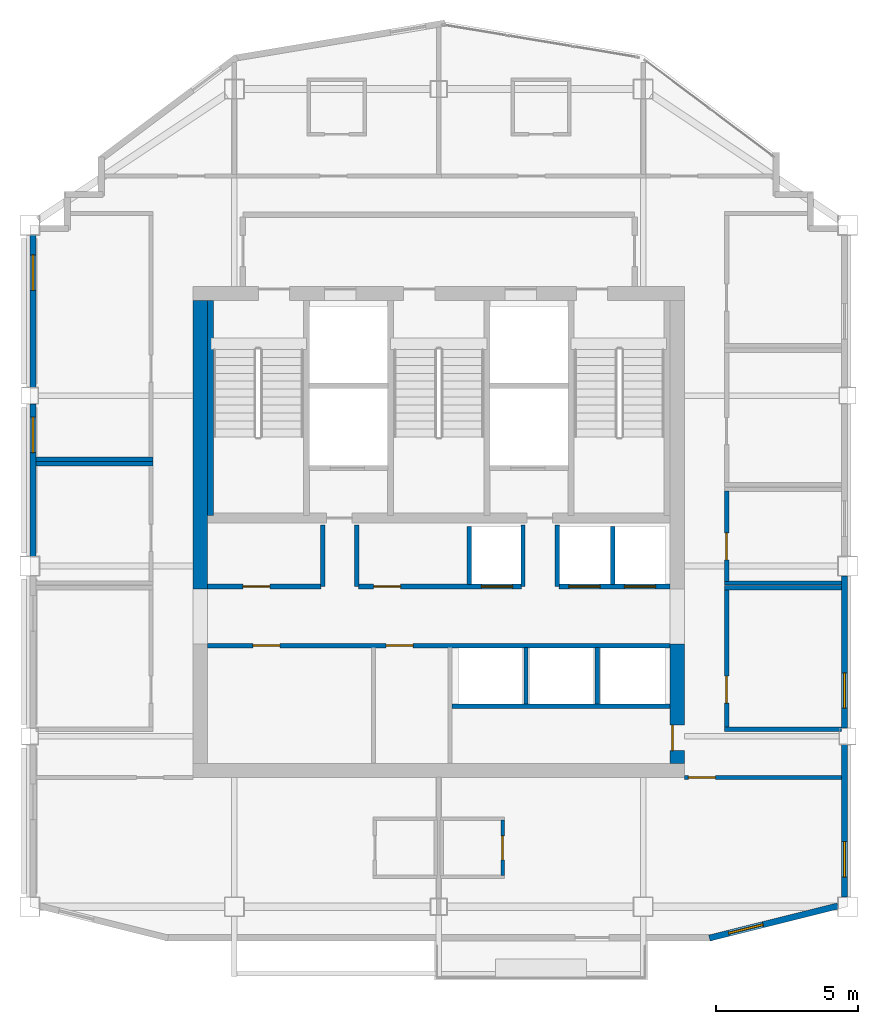
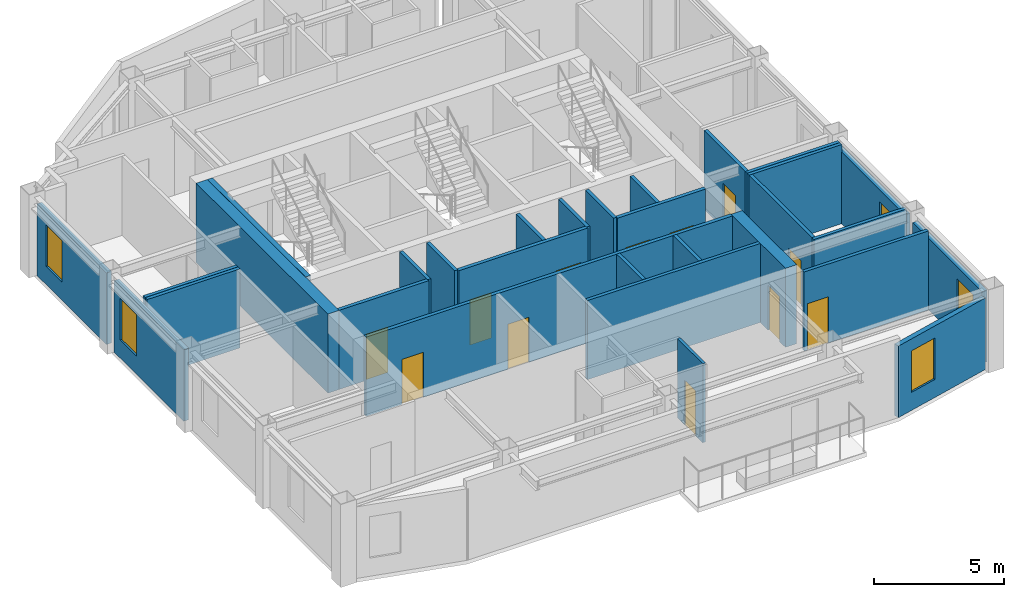
# One storey, part 5 of 8: 30 walls, 12 doors, 5 windows, 17 openings.
"""IFC4 building model written with IfcOpenShell, lengths in metres."""

import ifcopenshell
import ifcopenshell.guid

model = None  # the IFC model being written
_history = None  # IfcOwnerHistory: only IFC2X3 demands one
_inside = {}  # id of a spatial element -> (the spatial element, [elements in it])
_under = {}  # id of a project, library or spatial element -> (it, [spatial elements below it])
_declared = {}  # id of a project -> (the project, [libraries it declares])
_typed = {}  # id of a type object -> (the type object, [elements of that type])
_made_of = {}  # id of a material, layer set ... -> (it, [elements and type objects made of it])


def new_model(schema):
    """Start an empty IFC model of exactly this schema.

    Asked for "IFC4X3", IfcOpenShell would pick the latest addendum, in which some entities
    have other attributes; the version numbers below select the first issue.
    IFC2X3 requires an IfcOwnerHistory on every rooted entity: one is made here for all.
    """
    global model, _history
    if schema == "IFC4X3":
        model = ifcopenshell.file(schema_version=(4, 3, 0, 0))
    else:
        model = ifcopenshell.file(schema=schema)
    _inside.clear()
    _under.clear()
    _declared.clear()
    _typed.clear()
    _made_of.clear()
    _history = None
    if model.schema == "IFC2X3":
        org = make("IfcOrganization", Name="unknown")
        user = make(
            "IfcPersonAndOrganization",
            ThePerson=make("IfcPerson", FamilyName="unknown"),
            TheOrganization=org,
        )
        app = make(
            "IfcApplication",
            ApplicationDeveloper=org,
            Version="unknown",
            ApplicationFullName="unknown",
            ApplicationIdentifier="unknown",
        )
        _history = make(
            "IfcOwnerHistory",
            OwningUser=user,
            OwningApplication=app,
            ChangeAction="ADDED",
            CreationDate=0,
        )
    return model


def make(cls, **values):
    """One entity of the class cls with the attributes given. An attribute that is None is left unset."""
    return model.create_entity(
        cls, **{name: value for name, value in values.items() if value is not None}
    )


def rooted(cls, **values):
    """An entity with a GlobalId (a new one), such as an element, a storey or a relation."""
    return make(cls, GlobalId=ifcopenshell.guid.new(), OwnerHistory=_history, **values)


def si_unit(unit_type, name, prefix=None):
    """IfcSIUnit, for example si_unit("LENGTHUNIT", "METRE", prefix="MILLI")."""
    return make("IfcSIUnit", UnitType=unit_type, Prefix=prefix, Name=name)


def assignment(units):
    """IfcUnitAssignment: the units of a project."""
    return None if units is None else make("IfcUnitAssignment", Units=units)


def point(xyz):
    """IfcCartesianPoint."""
    return None if xyz is None else make("IfcCartesianPoint", Coordinates=xyz)


def direction(xyz):
    """IfcDirection."""
    return None if xyz is None else make("IfcDirection", DirectionRatios=xyz)


def frame(location, z_axis=None, x_axis=None):
    """IfcAxis2Placement3D, a coordinate frame: its origin and axes. An axis left out is left unset."""
    return make(
        "IfcAxis2Placement3D",
        Location=point(location),
        Axis=direction(z_axis),
        RefDirection=direction(x_axis),
    )


def frame_2d(location, x_axis=None):
    """IfcAxis2Placement2D, a coordinate frame in the plane: its origin and x axis."""
    return make(
        "IfcAxis2Placement2D", Location=point(location), RefDirection=direction(x_axis)
    )


def origin():
    """The frame at (0, 0, 0) with its axes left unset."""
    return frame((0.0, 0.0, 0.0))


def place(relative_to, where):
    """IfcLocalPlacement: puts the frame where relative to a parent placement (None: the world)."""
    return make(
        "IfcLocalPlacement", PlacementRelTo=relative_to, RelativePlacement=where
    )


def context(
    kind, dimensions, precision=None, world=None, true_north=None, identifier=None
):
    """IfcGeometricRepresentationContext, for example the 3D "Model" context."""
    return make(
        "IfcGeometricRepresentationContext",
        ContextIdentifier=identifier,
        ContextType=kind,
        CoordinateSpaceDimension=dimensions,
        Precision=precision,
        WorldCoordinateSystem=world,
        TrueNorth=true_north,
    )


def subcontext(parent, identifier, kind, view, scale=None):
    """IfcGeometricRepresentationSubContext, for example "Body" below "Model"."""
    return make(
        "IfcGeometricRepresentationSubContext",
        ContextIdentifier=identifier,
        ContextType=kind,
        ParentContext=parent,
        TargetScale=scale,
        TargetView=view,
    )


def project(units=None, contexts=None):
    """IfcProject with its units and contexts."""
    return rooted(
        "IfcProject",
        Name="project",
        RepresentationContexts=contexts,
        UnitsInContext=assignment(units),
    )


def spatial(cls, under=None, at=None, **own):
    """A site, building, storey or space (cls), placed at a placement, below another one or the project."""
    s = rooted(cls, ObjectPlacement=at, **own)
    if under is not None:
        _under.setdefault(under.id(), (under, []))[1].append(s)
    return s


def profile(cls, at=None, kind="AREA", **sizes):
    """A parametric profile (cls). Its sizes go by their IFC names, for example OverallWidth=200.0."""
    return make(cls, ProfileType=kind, Position=at, **sizes)


def rectangle(**sizes):
    """IfcRectangleProfileDef."""
    return profile("IfcRectangleProfileDef", **sizes)


def extrude(swept, where, along, depth):
    """IfcExtrudedAreaSolid: the profile swept, set in the frame where, extruded along a direction by depth."""
    return make(
        "IfcExtrudedAreaSolid",
        SweptArea=swept,
        Position=where,
        ExtrudedDirection=direction(along),
        Depth=depth,
    )


def shape(context_of_items, identifier, shape_type, items):
    """IfcShapeRepresentation: the items that make up one representation, for example the "Body"."""
    return make(
        "IfcShapeRepresentation",
        ContextOfItems=context_of_items,
        RepresentationIdentifier=identifier,
        RepresentationType=shape_type,
        Items=items,
    )


def material(Name=None, Category=None):
    """IfcMaterial."""
    return make("IfcMaterial", Name=Name, Category=Category)


def layer(
    of_material, thickness, ventilated=None, Name=None, Category=None, Priority=None
):
    """IfcMaterialLayer: one layer of a wall or slab, of a material (None: an air gap)."""
    return make(
        "IfcMaterialLayer",
        Material=of_material,
        LayerThickness=thickness,
        IsVentilated=ventilated,
        Name=Name,
        Category=Category,
        Priority=Priority,
    )


def layer_set(layers, Name=None):
    """IfcMaterialLayerSet."""
    return make("IfcMaterialLayerSet", MaterialLayers=layers, LayerSetName=Name)


def made_of(thing, what):
    """Note that an element or type object is made of a material, layer set ...; save() writes the relation."""
    if what is not None:
        _made_of.setdefault(what.id(), (what, []))[1].append(thing)
    return thing


def type_object(cls, material=None, **own):
    """A type object (cls), such as IfcWallType, which elements share."""
    return made_of(rooted(cls, **own), material)


def element(
    cls,
    number,
    at=None,
    inside=None,
    cuts=None,
    type_object=None,
    material=None,
    context=None,
    identifier="Body",
    shape_type=None,
    held_by="IfcProductDefinitionShape",
    body=None,
    shapes=None,
    **own,
):
    """One element of the class cls, such as IfcWall. Its Tag is "e" and its number.

    at: its placement. inside: the storey or other place that contains it. cuts: it is an
    opening in that element (IfcRelVoidsElement). A single representation is given by context,
    identifier, shape_type and body (its items); several are given by shapes. held_by: the class
    of the entity that holds the representations. save() writes the other relations.
    """
    e = rooted(cls, Tag="e%d" % number, ObjectPlacement=at, **own)
    if body is not None:
        shapes = [shape(context, identifier, shape_type, body)]
    if shapes is not None:
        e.Representation = make(held_by, Representations=shapes)
    if inside is not None:
        _inside.setdefault(inside.id(), (inside, []))[1].append(e)
    if cuts is not None:
        rooted(
            "IfcRelVoidsElement", RelatingBuildingElement=cuts, RelatedOpeningElement=e
        )
    if type_object is not None:
        _typed.setdefault(type_object.id(), (type_object, []))[1].append(e)
    return made_of(e, material)


def fill(opening, filler):
    """IfcRelFillsElement: the door or window that sits in an opening."""
    return rooted(
        "IfcRelFillsElement",
        RelatingOpeningElement=opening,
        RelatedBuildingElement=filler,
    )


def aggregate(whole, parts):
    """IfcRelAggregates: a whole, such as a stair, and the parts it consists of."""
    return rooted("IfcRelAggregates", RelatingObject=whole, RelatedObjects=parts)


def save(model, path):
    """Write the relations noted so far, then the file.

    IfcRelAggregates (storeys below a building ...), IfcRelContainedInSpatialStructure (elements
    in a storey), IfcRelDefinesByType, IfcRelAssociatesMaterial and IfcRelDeclares: one each for
    every whole, place, type object, material and project.
    """
    for whole, parts in _under.values():
        aggregate(whole, parts)
    for where, things in _inside.values():
        rooted(
            "IfcRelContainedInSpatialStructure",
            RelatedElements=things,
            RelatingStructure=where,
        )
    for kind, things in _typed.values():
        rooted("IfcRelDefinesByType", RelatedObjects=things, RelatingType=kind)
    for what, things in _made_of.values():
        rooted("IfcRelAssociatesMaterial", RelatedObjects=things, RelatingMaterial=what)
    for by, libraries in _declared.values():
        rooted("IfcRelDeclares", RelatingContext=by, RelatedDefinitions=libraries)
    model.write(path)


model = new_model("IFC4")

# Units and contexts
model_context = context("Model", 3, precision=1e-05, world=origin(), true_north=direction((0.0, 1.0)))
body_context = subcontext(model_context, "Body", "Model", "MODEL_VIEW")
ifc_project = project(units=[si_unit("LENGTHUNIT", "METRE"), si_unit("AREAUNIT", "SQUARE_METRE"), si_unit("VOLUMEUNIT", "CUBIC_METRE"), si_unit("PLANEANGLEUNIT", "RADIAN"), si_unit("MASSUNIT", "GRAM", prefix="KILO")], contexts=[model_context])

# Site, building, storey
site_placement = place(None, origin())
site = spatial("IfcSite", under=ifc_project, at=site_placement, CompositionType="ELEMENT")
building_placement = place(site_placement, origin())
building = spatial("IfcBuilding", under=site, at=building_placement, Name="Haolan Belvedere Tower", CompositionType="ELEMENT")
storey_placement = place(building_placement, frame((0.0, 0.0, 293.89990234375)))
storey = spatial("IfcBuildingStorey", under=building, at=storey_placement, Name="L74", CompositionType="ELEMENT", Elevation=293.89990234375)

# Wall
ifc_material_1 = material(Name="Concrete C50/60", Category="concrete")
ifc_layer_1 = layer(ifc_material_1, 0.5, Name="Concrete C50/60")
ifc_layer_set_1 = layer_set([ifc_layer_1], Name="Concrete C50/60")
wall_type_1 = type_object("IfcWallType", Name="WL-CORE-500", PredefinedType="SHEAR", material=ifc_layer_set_1)
wall_1_placement = place(storey_placement, frame((30.0, 32.800048828125, 0.0), z_axis=(0.0, 0.0, 1.0), x_axis=(0.0, 1.0, 0.0)))
element("IfcWall", 1, at=wall_1_placement, inside=storey, type_object=wall_type_1, Name="L74 central core shear wall WN", PredefinedType="SHEAR", context=body_context, shape_type="SweptSolid", body=[
    extrude(rectangle(XDim=10.14990234375, YDim=0.5, at=frame_2d((5.074951171875, 0.0))), origin(), (0.0, 0.0, 1.0), 3.72021484375),
])

# Wall, opening, door
wall_2_placement = place(storey_placement, frame((46.800048828125, 26.64990234375, 0.0), z_axis=(0.0, 0.0, 1.0), x_axis=(0.0, 1.0, 0.0)))
wall_2 = element("IfcWall", 2, at=wall_2_placement, inside=storey, type_object=wall_type_1, Name="L74 central core shear wall ES", PredefinedType="SHEAR", context=body_context, shape_type="SweptSolid", body=[
    extrude(rectangle(XDim=4.2001953125, YDim=0.5, at=frame_2d((2.10009765625, 0.0))), origin(), (0.0, 0.0, 1.0), 3.72021484375),
])
opening_1_placement = place(wall_2_placement, frame((1.349853515625, 0.0, 0.0), z_axis=(0.0, 0.0, 1.0), x_axis=(-1.0, 0.0, 0.0)))
opening_1 = element("IfcOpeningElement", 3, at=opening_1_placement, cuts=wall_2, Name="Opening FD-05", PredefinedType="OPENING", context=body_context, shape_type="SweptSolid", body=[
    extrude(rectangle(XDim=0.89990234375, YDim=2.10009765625, at=frame_2d((0.449951171875, 1.050048828125))), frame((0.0, 0.260009765625, 0.0), z_axis=(0.0, -1.0, 0.0), x_axis=(1.0, 0.0, 0.0)), (0.0, 0.0, 1.0), 0.52001953125),
])
ifc_material_2 = material(Name="Galvanised fire-rated steel", Category="steel")
door_type_1 = type_object("IfcDoorType", Name="DR-FD60-900", OperationType="NOTDEFINED", PredefinedType="DOOR", material=ifc_material_2)
door_1_placement = place(opening_1_placement, origin())
door_1 = element("IfcDoor", 4, at=door_1_placement, inside=storey, type_object=door_type_1, Name="L74 door CD-L74-SCVE", OperationType="SINGLE_SWING_RIGHT", OverallHeight=2.10009765625, OverallWidth=0.89990234375, PredefinedType="DOOR", context=body_context, shape_type="SweptSolid", body=[
    extrude(rectangle(XDim=0.89990234375, YDim=2.10009765625, at=frame_2d((0.449951171875, 1.050048828125))), frame((0.0, -0.134765625, 0.0), z_axis=(0.0, -1.0, 0.0), x_axis=(1.0, 0.0, 0.0)), (0.0, 0.0, 1.0), 0.050048828125),
])
fill(opening_1, door_1)

# Wall, opening, window
ifc_material_3 = material(Name="Precast concrete C40/50", Category="concrete")
ifc_layer_2 = layer(ifc_material_3, 0.219970703125, Name="Precast concrete C40/50")
ifc_layer_set_2 = layer_set([ifc_layer_2], Name="Precast concrete C40/50")
wall_type_2 = type_object("IfcWallType", Name="WL-EXT-220", PredefinedType="SOLIDWALL", material=ifc_layer_set_2)
wall_3_placement = place(storey_placement, frame((47.93310546875, 20.49658203125, 0.0), z_axis=(0.0, 0.0, 1.0), x_axis=(0.970136341762, 0.242560257242, 0.0)))
wall_3 = element("IfcWall", 5, at=wall_3_placement, inside=storey, type_object=wall_type_2, Name="L74 pale-metal exterior spandrel wall 2.1", PredefinedType="SOLIDWALL", context=body_context, shape_type="SweptSolid", body=[
    extrude(rectangle(XDim=4.664306640625, YDim=0.219970703125, at=frame_2d((2.33203125, 0.0))), origin(), (0.0, 0.0, 1.0), 3.364990234375),
])
opening_2_placement = place(wall_3_placement, frame((0.699951171875, 0.0, 0.85009765625)))
opening_2 = element("IfcOpeningElement", 6, at=opening_2_placement, cuts=wall_3, Name="Opening W-04", PredefinedType="OPENING", context=body_context, shape_type="SweptSolid", body=[
    extrude(rectangle(XDim=1.25, YDim=1.949951171875, at=frame_2d((0.625, 0.97509765625))), frame((0.0, 0.119873046875, 0.0), z_axis=(0.0, -1.0, 0.0), x_axis=(1.0, 0.0, 0.0)), (0.0, 0.0, 1.0), 0.239990234375),
])
ifc_material_4 = material(Name="Anodised aluminium 6063-T6 and Low-E glass", Category="aluminium")
window_type = type_object("IfcWindowType", Name="WN-DECO-Z4", PartitioningType="SINGLE_PANEL", PredefinedType="WINDOW", material=ifc_material_4)
window_1_placement = place(opening_2_placement, origin())
window_1 = element("IfcWindow", 7, at=window_1_placement, inside=storey, type_object=window_type, Name="L74 Art Deco chevron window 1", OverallHeight=1.949951171875, OverallWidth=1.25, PartitioningType="SINGLE_PANEL", PredefinedType="WINDOW", context=body_context, shape_type="SweptSolid", body=[
    extrude(rectangle(XDim=1.25, YDim=1.949951171875, at=frame_2d((0.625, 0.97509765625))), frame((0.0, 0.030029296875, 0.0), z_axis=(0.0, -1.0, 0.0), x_axis=(1.0, 0.0, 0.0)), (0.0, 0.0, 1.0), 0.06005859375),
])
fill(opening_2, window_1)

wall_4_placement = place(storey_placement, frame((52.68994140625, 21.94189453125, 0.0), z_axis=(0.0, 0.0, 1.0), x_axis=(0.0, 1.0, 0.0)))
wall_4 = element("IfcWall", 8, at=wall_4_placement, inside=storey, type_object=wall_type_2, Name="L74 pale-metal exterior spandrel wall 3.1", PredefinedType="SOLIDWALL", context=body_context, shape_type="SweptSolid", body=[
    extrude(rectangle(XDim=5.3662109375, YDim=0.219970703125, at=frame_2d((2.68310546875, 0.0))), origin(), (0.0, 0.0, 1.0), 3.364990234375),
])
opening_3_placement = place(wall_4_placement, frame((0.699951171875, 0.0, 0.85009765625)))
opening_3 = element("IfcOpeningElement", 9, at=opening_3_placement, cuts=wall_4, Name="Opening W-04", PredefinedType="OPENING", context=body_context, shape_type="SweptSolid", body=[
    extrude(rectangle(XDim=1.25, YDim=1.949951171875, at=frame_2d((0.625, 0.97509765625))), frame((0.0, 0.119873046875, 0.0), z_axis=(0.0, -1.0, 0.0), x_axis=(1.0, 0.0, 0.0)), (0.0, 0.0, 1.0), 0.239990234375),
])
window_2_placement = place(opening_3_placement, origin())
window_2 = element("IfcWindow", 10, at=window_2_placement, inside=storey, type_object=window_type, Name="L74 Art Deco chevron window 1", OverallHeight=1.949951171875, OverallWidth=1.25, PartitioningType="SINGLE_PANEL", PredefinedType="WINDOW", context=body_context, shape_type="SweptSolid", body=[
    extrude(rectangle(XDim=1.25, YDim=1.949951171875, at=frame_2d((0.625, 0.97509765625))), frame((0.0, 0.030029296875, 0.0), z_axis=(0.0, -1.0, 0.0), x_axis=(1.0, 0.0, 0.0)), (0.0, 0.0, 1.0), 0.06005859375),
])
fill(opening_3, window_2)

wall_5_placement = place(storey_placement, frame((52.68994140625, 27.89208984375, 0.0), z_axis=(0.0, 0.0, 1.0), x_axis=(0.0, 1.0, 0.0)))
wall_5 = element("IfcWall", 11, at=wall_5_placement, inside=storey, type_object=wall_type_2, Name="L74 pale-metal exterior spandrel wall 3.2", PredefinedType="SOLIDWALL", context=body_context, shape_type="SweptSolid", body=[
    extrude(rectangle(XDim=5.365966796875, YDim=0.219970703125, at=frame_2d((2.68310546875, 0.0))), origin(), (0.0, 0.0, 1.0), 3.364990234375),
])
opening_4_placement = place(wall_5_placement, frame((0.699951171875, 0.0, 0.85009765625)))
opening_4 = element("IfcOpeningElement", 12, at=opening_4_placement, cuts=wall_5, Name="Opening W-04", PredefinedType="OPENING", context=body_context, shape_type="SweptSolid", body=[
    extrude(rectangle(XDim=1.25, YDim=1.949951171875, at=frame_2d((0.625, 0.97509765625))), frame((0.0, 0.119873046875, 0.0), z_axis=(0.0, -1.0, 0.0), x_axis=(1.0, 0.0, 0.0)), (0.0, 0.0, 1.0), 0.239990234375),
])
window_3_placement = place(opening_4_placement, origin())
window_3 = element("IfcWindow", 13, at=window_3_placement, inside=storey, type_object=window_type, Name="L74 Art Deco chevron window 1", OverallHeight=1.949951171875, OverallWidth=1.25, PartitioningType="SINGLE_PANEL", PredefinedType="WINDOW", context=body_context, shape_type="SweptSolid", body=[
    extrude(rectangle(XDim=1.25, YDim=1.949951171875, at=frame_2d((0.625, 0.97509765625))), frame((0.0, 0.030029296875, 0.0), z_axis=(0.0, -1.0, 0.0), x_axis=(1.0, 0.0, 0.0)), (0.0, 0.0, 1.0), 0.06005859375),
])
fill(opening_4, window_3)

wall_6_placement = place(storey_placement, frame((24.110107421875, 45.258056640625, 0.0), z_axis=(0.0, 0.0, 1.0), x_axis=(0.0, -1.0, 0.0)))
wall_6 = element("IfcWall", 14, at=wall_6_placement, inside=storey, type_object=wall_type_2, Name="L74 pale-metal exterior spandrel wall 16.1", PredefinedType="SOLIDWALL", context=body_context, shape_type="SweptSolid", body=[
    extrude(rectangle(XDim=5.365966796875, YDim=0.219970703125, at=frame_2d((2.68310546875, 0.0))), origin(), (0.0, 0.0, 1.0), 3.364990234375),
])
opening_5_placement = place(wall_6_placement, frame((0.699951171875, 0.0, 0.85009765625)))
opening_5 = element("IfcOpeningElement", 15, at=opening_5_placement, cuts=wall_6, Name="Opening W-04", PredefinedType="OPENING", context=body_context, shape_type="SweptSolid", body=[
    extrude(rectangle(XDim=1.25, YDim=1.949951171875, at=frame_2d((0.625, 0.97509765625))), frame((0.0, 0.119873046875, 0.0), z_axis=(0.0, -1.0, 0.0), x_axis=(1.0, 0.0, 0.0)), (0.0, 0.0, 1.0), 0.239990234375),
])
window_4_placement = place(opening_5_placement, origin())
window_4 = element("IfcWindow", 16, at=window_4_placement, inside=storey, type_object=window_type, Name="L74 Art Deco chevron window 1", OverallHeight=1.949951171875, OverallWidth=1.25, PartitioningType="SINGLE_PANEL", PredefinedType="WINDOW", context=body_context, shape_type="SweptSolid", body=[
    extrude(rectangle(XDim=1.25, YDim=1.949951171875, at=frame_2d((0.625, 0.97509765625))), frame((0.0, 0.030029296875, 0.0), z_axis=(0.0, -1.0, 0.0), x_axis=(1.0, 0.0, 0.0)), (0.0, 0.0, 1.0), 0.06005859375),
])
fill(opening_5, window_4)

wall_7_placement = place(storey_placement, frame((24.110107421875, 39.30810546875, 0.0), z_axis=(0.0, 0.0, 1.0), x_axis=(0.0, -1.0, 0.0)))
wall_7 = element("IfcWall", 17, at=wall_7_placement, inside=storey, type_object=wall_type_2, Name="L74 pale-metal exterior spandrel wall 16.2", PredefinedType="SOLIDWALL", context=body_context, shape_type="SweptSolid", body=[
    extrude(rectangle(XDim=5.3662109375, YDim=0.219970703125, at=frame_2d((2.68310546875, 0.0))), origin(), (0.0, 0.0, 1.0), 3.364990234375),
])
opening_6_placement = place(wall_7_placement, frame((0.462890625, 0.0, 0.85009765625)))
opening_6 = element("IfcOpeningElement", 18, at=opening_6_placement, cuts=wall_7, Name="Opening W-04", PredefinedType="OPENING", context=body_context, shape_type="SweptSolid", body=[
    extrude(rectangle(XDim=1.25, YDim=1.949951171875, at=frame_2d((0.625, 0.97509765625))), frame((0.0, 0.119873046875, 0.0), z_axis=(0.0, -1.0, 0.0), x_axis=(1.0, 0.0, 0.0)), (0.0, 0.0, 1.0), 0.239990234375),
])
window_5_placement = place(opening_6_placement, origin())
window_5 = element("IfcWindow", 19, at=window_5_placement, inside=storey, type_object=window_type, Name="L74 Art Deco chevron window 1", OverallHeight=1.949951171875, OverallWidth=1.25, PartitioningType="SINGLE_PANEL", PredefinedType="WINDOW", context=body_context, shape_type="SweptSolid", body=[
    extrude(rectangle(XDim=1.25, YDim=1.949951171875, at=frame_2d((0.625, 0.97509765625))), frame((0.0, 0.030029296875, 0.0), z_axis=(0.0, -1.0, 0.0), x_axis=(1.0, 0.0, 0.0)), (0.0, 0.0, 1.0), 0.06005859375),
])
fill(opening_6, window_5)

# Walls
ifc_material_5 = material(Name="Double gypsum acoustic stud partition", Category="masonry")
ifc_layer_3 = layer(ifc_material_5, 0.14990234375, Name="Double gypsum acoustic stud partition")
ifc_layer_set_3 = layer_set([ifc_layer_3], Name="Double gypsum acoustic stud partition")
wall_type_3 = type_object("IfcWallType", Name="WL-PART-150", PredefinedType="PARTITIONING", material=ifc_layer_set_3)
wall_8_placement = place(storey_placement, frame((38.860107421875, 28.659912109375, 0.0), z_axis=(0.0, 0.0, 1.0), x_axis=(1.0, 0.0, 0.0)))
element("IfcWall", 20, at=wall_8_placement, inside=storey, type_object=wall_type_3, Name="L74 interior partition IW-L74-SSTRIP-E", PredefinedType="PARTITIONING", context=body_context, shape_type="SweptSolid", body=[
    extrude(rectangle(XDim=7.68994140625, YDim=0.14990234375, at=frame_2d((3.844970703125, 0.0))), origin(), (0.0, 0.0, 1.0), 3.72021484375),
])
for number, where, z_axis, x_axis, name in (
    (21, (24.2119140625, 37.199951171875, 0.0), (0.0, 0.0, 1.0), (1.0, 0.0, 0.0), "L74 interior partition IW-L74-HSK-N"),
    (22, (24.2119140625, 37.360107421875, 0.0), (0.0, 0.0, 1.0), (1.0, 0.0, 0.0), "L74 interior partition IW-L74-MTG-S"),
):
    element("IfcWall", number, at=place(storey_placement, frame(where, z_axis=z_axis, x_axis=x_axis)), inside=storey, type_object=wall_type_3, Name=name, PredefinedType="PARTITIONING", context=body_context, shape_type="SweptSolid", body=[
        extrude(rectangle(XDim=4.128173828125, YDim=0.14990234375, at=frame_2d((2.06396484375, 0.0))), origin(), (0.0, 0.0, 1.0), 3.72021484375),
    ])
wall_9_placement = place(storey_placement, frame((48.4599609375, 33.0, 0.0), z_axis=(0.0, 0.0, 1.0), x_axis=(1.0, 0.0, 0.0)))
element("IfcWall", 23, at=wall_9_placement, inside=storey, type_object=wall_type_3, Name="L74 interior partition IW-L74-AWC-S", PredefinedType="PARTITIONING", context=body_context, shape_type="SweptSolid", body=[
    extrude(rectangle(XDim=4.1279296875, YDim=0.14990234375, at=frame_2d((2.06396484375, 0.0))), origin(), (0.0, 0.0, 1.0), 3.72021484375),
])

# Wall, opening, door
wall_10_placement = place(storey_placement, frame((48.5400390625, 33.06005859375, 0.0), z_axis=(0.0, 0.0, 1.0), x_axis=(0.0, 1.0, 0.0)))
wall_10 = element("IfcWall", 24, at=wall_10_placement, inside=storey, type_object=wall_type_3, Name="L74 interior partition IW-L74-AWC-W", PredefinedType="PARTITIONING", context=body_context, shape_type="SweptSolid", body=[
    extrude(rectangle(XDim=3.179931640625, YDim=0.14990234375, at=frame_2d((1.58984375, 0.0))), origin(), (0.0, 0.0, 1.0), 3.72021484375),
])
opening_7_placement = place(wall_10_placement, frame((0.760009765625, 0.0, 0.0)))
opening_7 = element("IfcOpeningElement", 25, at=opening_7_placement, cuts=wall_10, Name="Opening ID-03", PredefinedType="OPENING", context=body_context, shape_type="SweptSolid", body=[
    extrude(rectangle(XDim=0.949951171875, YDim=2.1201171875, at=frame_2d((0.47509765625, 1.06005859375))), frame((0.0, 0.0849609375, 0.0), z_axis=(0.0, -1.0, 0.0), x_axis=(1.0, 0.0, 0.0)), (0.0, 0.0, 1.0), 0.169921875),
])
ifc_material_6 = material(Name="Painted solid-core timber", Category="wood")
door_type_2 = type_object("IfcDoorType", Name="DR-INT-950", OperationType="NOTDEFINED", PredefinedType="DOOR", material=ifc_material_6)
door_2_placement = place(opening_7_placement, origin())
door_2 = element("IfcDoor", 26, at=door_2_placement, inside=storey, type_object=door_type_2, Name="L74 door ID-L74-AWC", OperationType="SINGLE_SWING_LEFT", OverallHeight=2.1201171875, OverallWidth=0.949951171875, PredefinedType="DOOR", context=body_context, shape_type="SweptSolid", body=[
    extrude(rectangle(XDim=0.949951171875, YDim=2.1201171875, at=frame_2d((0.47509765625, 1.06005859375))), frame((0.0, 0.02490234375, 0.0), z_axis=(0.0, -1.0, 0.0), x_axis=(1.0, 0.0, 0.0)), (0.0, 0.0, 1.0), 0.050048828125),
])
fill(opening_7, door_2)

# Walls
for number, where, z_axis, x_axis, name in (
    (27, (48.4599609375, 32.840087890625, 0.0), (0.0, 0.0, 1.0), (1.0, 0.0, 0.0), "L74 interior partition IW-L74-PKTE-N"),
    (28, (48.4599609375, 27.85009765625, 0.0), (0.0, 0.0, 1.0), (1.0, 0.0, 0.0), "L74 interior partition IW-L74-PKTE-S"),
):
    element("IfcWall", number, at=place(storey_placement, frame(where, z_axis=z_axis, x_axis=x_axis)), inside=storey, type_object=wall_type_3, Name=name, PredefinedType="PARTITIONING", context=body_context, shape_type="SweptSolid", body=[
        extrude(rectangle(XDim=4.1279296875, YDim=0.14990234375, at=frame_2d((2.06396484375, 0.0))), origin(), (0.0, 0.0, 1.0), 3.72021484375),
    ])

# Wall, opening, door
wall_11_placement = place(storey_placement, frame((48.5400390625, 27.909912109375, 0.0), z_axis=(0.0, 0.0, 1.0), x_axis=(0.0, 1.0, 0.0)))
wall_11 = element("IfcWall", 29, at=wall_11_placement, inside=storey, type_object=wall_type_3, Name="L74 interior partition IW-L74-PKTE-W", PredefinedType="PARTITIONING", context=body_context, shape_type="SweptSolid", body=[
    extrude(rectangle(XDim=4.8701171875, YDim=0.14990234375, at=frame_2d((2.43505859375, 0.0))), origin(), (0.0, 0.0, 1.0), 3.72021484375),
])
opening_8_placement = place(wall_11_placement, frame((0.860107421875, 0.0, 0.0)))
opening_8 = element("IfcOpeningElement", 30, at=opening_8_placement, cuts=wall_11, Name="Opening ID-03", PredefinedType="OPENING", context=body_context, shape_type="SweptSolid", body=[
    extrude(rectangle(XDim=0.949951171875, YDim=2.1201171875, at=frame_2d((0.47509765625, 1.06005859375))), frame((0.0, 0.0849609375, 0.0), z_axis=(0.0, -1.0, 0.0), x_axis=(1.0, 0.0, 0.0)), (0.0, 0.0, 1.0), 0.169921875),
])
door_3_placement = place(opening_8_placement, origin())
door_3 = element("IfcDoor", 31, at=door_3_placement, inside=storey, type_object=door_type_2, Name="L74 door ID-L74-PKTE", OperationType="SINGLE_SWING_RIGHT", OverallHeight=2.1201171875, OverallWidth=0.949951171875, PredefinedType="DOOR", context=body_context, shape_type="SweptSolid", body=[
    extrude(rectangle(XDim=0.949951171875, YDim=2.1201171875, at=frame_2d((0.47509765625, 1.06005859375))), frame((0.0, 0.02490234375, 0.0), z_axis=(0.0, -1.0, 0.0), x_axis=(1.0, 0.0, 0.0)), (0.0, 0.0, 1.0), 0.050048828125),
])
fill(opening_8, door_3)

wall_12_placement = place(storey_placement, frame((47.052001953125, 26.14990234375, 0.0), z_axis=(0.0, 0.0, 1.0), x_axis=(1.0, 0.0, 0.0)))
wall_12 = element("IfcWall", 32, at=wall_12_placement, inside=storey, type_object=wall_type_3, Name="L74 interior partition IW-L74-KS2-N", PredefinedType="PARTITIONING", context=body_context, shape_type="SweptSolid", body=[
    extrude(rectangle(XDim=5.535888671875, YDim=0.14990234375, at=frame_2d((2.76806640625, 0.0))), origin(), (0.0, 0.0, 1.0), 3.72021484375),
])
opening_9_placement = place(wall_12_placement, frame((1.08984375, 0.0, 0.0), z_axis=(0.0, 0.0, 1.0), x_axis=(-1.0, 0.0, 0.0)))
opening_9 = element("IfcOpeningElement", 33, at=opening_9_placement, cuts=wall_12, Name="Opening ID-01", PredefinedType="OPENING", context=body_context, shape_type="SweptSolid", body=[
    extrude(rectangle(XDim=0.949951171875, YDim=2.179931640625, at=frame_2d((0.47509765625, 1.08984375))), frame((0.0, 0.0849609375, 0.0), z_axis=(0.0, -1.0, 0.0), x_axis=(1.0, 0.0, 0.0)), (0.0, 0.0, 1.0), 0.169921875),
])
ifc_material_7 = material(Name="Acoustic walnut veneer fire-rated timber", Category="wood")
door_type_3 = type_object("IfcDoorType", Name="DR-SUITE-950", OperationType="NOTDEFINED", PredefinedType="DOOR", material=ifc_material_7)
door_4_placement = place(opening_9_placement, origin())
door_4 = element("IfcDoor", 34, at=door_4_placement, inside=storey, type_object=door_type_3, Name="L74 door ID-L74-KS2-ENT", OperationType="SINGLE_SWING_LEFT", OverallHeight=2.179931640625, OverallWidth=0.949951171875, PredefinedType="DOOR", context=body_context, shape_type="SweptSolid", body=[
    extrude(rectangle(XDim=0.949951171875, YDim=2.179931640625, at=frame_2d((0.47509765625, 1.08984375))), frame((0.0, 0.02490234375, 0.0), z_axis=(0.0, -1.0, 0.0), x_axis=(1.0, 0.0, 0.0)), (0.0, 0.0, 1.0), 0.050048828125),
])
fill(opening_9, door_4)

# Walls
ifc_material_8 = material(Name="Gypsum fire shaftwall assembly", Category="masonry")
ifc_layer_4 = layer(ifc_material_8, 0.1650390625, Name="Gypsum fire shaftwall assembly")
ifc_layer_set_4 = layer_set([ifc_layer_4], Name="Gypsum fire shaftwall assembly")
wall_type_4 = type_object("IfcWallType", Name="WL-SHAFT-160", PredefinedType="SOLIDWALL", material=ifc_layer_set_4)
for number, where, z_axis, x_axis, name in (
    (35, (34.31005859375, 32.8798828125, 0.0), (0.0, 0.0, 1.0), (0.0, 1.0, 0.0), "L74 interior partition IW-L74-SVP-W-SV1"),
    (36, (35.510009765625, 32.8798828125, 0.0), (0.0, 0.0, 1.0), (0.0, 1.0, 0.0), "L74 interior partition IW-L74-SVP-E-SV1"),
    (37, (41.3701171875, 32.8798828125, 0.0), (0.0, 0.0, 1.0), (0.0, 1.0, 0.0), "L74 interior partition IW-L74-SVP-W-SV2"),
    (38, (42.570068359375, 32.8798828125, 0.0), (0.0, 0.0, 1.0), (0.0, 1.0, 0.0), "L74 interior partition IW-L74-SVP-E-SV2"),
):
    element("IfcWall", number, at=place(storey_placement, frame(where, z_axis=z_axis, x_axis=x_axis)), inside=storey, type_object=wall_type_4, Name=name, PredefinedType="SOLIDWALL", context=body_context, shape_type="SweptSolid", body=[
        extrude(rectangle(XDim=2.170166015625, YDim=0.14990234375, at=frame_2d((1.0849609375, 0.0))), origin(), (0.0, 0.0, 1.0), 3.72021484375),
    ])

# Wall, opening, door
wall_13_placement = place(storey_placement, frame((30.25, 32.8798828125, 0.0), z_axis=(0.0, 0.0, 1.0), x_axis=(1.0, 0.0, 0.0)))
wall_13 = element("IfcWall", 39, at=wall_13_placement, inside=storey, type_object=wall_type_4, Name="L74 interior partition IW-L74-ROW-PN1", PredefinedType="SOLIDWALL", context=body_context, shape_type="SweptSolid", body=[
    extrude(rectangle(XDim=4.0, YDim=0.159912109375, at=frame_2d((2.0, 0.0))), origin(), (0.0, 0.0, 1.0), 3.72021484375),
])
opening_10_placement = place(wall_13_placement, frame((2.199951171875, 0.0, 0.0), z_axis=(0.0, 0.0, 1.0), x_axis=(-1.0, 0.0, 0.0)))
opening_10 = element("IfcOpeningElement", 40, at=opening_10_placement, cuts=wall_13, Name="Opening ID-03", PredefinedType="OPENING", context=body_context, shape_type="SweptSolid", body=[
    extrude(rectangle(XDim=0.949951171875, YDim=2.1201171875, at=frame_2d((0.47509765625, 1.06005859375))), frame((0.0, 0.08984375, 0.0), z_axis=(0.0, -1.0, 0.0), x_axis=(1.0, 0.0, 0.0)), (0.0, 0.0, 1.0), 0.179931640625),
])
door_5_placement = place(opening_10_placement, origin())
door_5 = element("IfcDoor", 41, at=door_5_placement, inside=storey, type_object=door_type_2, Name="L74 door ID-L74-CD-RPLW", OperationType="SINGLE_SWING_LEFT", OverallHeight=2.1201171875, OverallWidth=0.949951171875, PredefinedType="DOOR", context=body_context, shape_type="SweptSolid", body=[
    extrude(rectangle(XDim=0.949951171875, YDim=2.1201171875, at=frame_2d((0.47509765625, 1.06005859375))), frame((0.0, 0.02490234375, 0.0), z_axis=(0.0, -1.0, 0.0), x_axis=(1.0, 0.0, 0.0)), (0.0, 0.0, 1.0), 0.050048828125),
])
fill(opening_10, door_5)

# Wall, openings, doors
wall_14_placement = place(storey_placement, frame((35.570068359375, 32.8798828125, 0.0), z_axis=(0.0, 0.0, 1.0), x_axis=(1.0, 0.0, 0.0)))
wall_14 = element("IfcWall", 42, at=wall_14_placement, inside=storey, type_object=wall_type_4, Name="L74 interior partition IW-L74-ROW-PN2", PredefinedType="SOLIDWALL", context=body_context, shape_type="SweptSolid", body=[
    extrude(rectangle(XDim=5.739990234375, YDim=0.159912109375, at=frame_2d((2.8701171875, 0.0))), origin(), (0.0, 0.0, 1.0), 3.72021484375),
])
opening_11_placement = place(wall_14_placement, frame((1.489990234375, 0.0, 0.0), z_axis=(0.0, 0.0, 1.0), x_axis=(-1.0, 0.0, 0.0)))
opening_11 = element("IfcOpeningElement", 43, at=opening_11_placement, cuts=wall_14, Name="Opening ID-03", PredefinedType="OPENING", context=body_context, shape_type="SweptSolid", body=[
    extrude(rectangle(XDim=0.949951171875, YDim=2.1201171875, at=frame_2d((0.47509765625, 1.06005859375))), frame((0.0, 0.08984375, 0.0), z_axis=(0.0, -1.0, 0.0), x_axis=(1.0, 0.0, 0.0)), (0.0, 0.0, 1.0), 0.179931640625),
])
opening_12_placement = place(wall_14_placement, frame((5.43017578125, 0.0, 0.0), z_axis=(0.0, 0.0, 1.0), x_axis=(-1.0, 0.0, 0.0)))
opening_12 = element("IfcOpeningElement", 44, at=opening_12_placement, cuts=wall_14, Name="Opening LD-01", PredefinedType="OPENING", context=body_context, shape_type="SweptSolid", body=[
    extrude(rectangle(XDim=1.10009765625, YDim=2.199951171875, at=frame_2d((0.550048828125, 1.10009765625))), frame((0.0, 0.08984375, 0.0), z_axis=(0.0, -1.0, 0.0), x_axis=(1.0, 0.0, 0.0)), (0.0, 0.0, 1.0), 0.179931640625),
])
door_6_placement = place(opening_11_placement, origin())
door_6 = element("IfcDoor", 45, at=door_6_placement, inside=storey, type_object=door_type_2, Name="L74 door ID-L74-CD-RPLE", OperationType="SINGLE_SWING_RIGHT", OverallHeight=2.1201171875, OverallWidth=0.949951171875, PredefinedType="DOOR", context=body_context, shape_type="SweptSolid", body=[
    extrude(rectangle(XDim=0.949951171875, YDim=2.1201171875, at=frame_2d((0.47509765625, 1.06005859375))), frame((0.0, 0.02490234375, 0.0), z_axis=(0.0, -1.0, 0.0), x_axis=(1.0, 0.0, 0.0)), (0.0, 0.0, 1.0), 0.050048828125),
])
fill(opening_11, door_6)
ifc_material_9 = material(Name="Brushed champagne stainless steel 316L", Category="steel")
door_type_4 = type_object("IfcDoorType", Name="DR-LIFT-1100", OperationType="SLIDING_TO_LEFT", PredefinedType="DOOR", material=ifc_material_9)
door_7_placement = place(opening_12_placement, origin())
door_7 = element("IfcDoor", 46, at=door_7_placement, inside=storey, type_object=door_type_4, Name="L74 door ID-L74-LD-PH1", OperationType="SLIDING_TO_RIGHT", OverallHeight=2.199951171875, OverallWidth=1.10009765625, PredefinedType="DOOR", context=body_context, shape_type="SweptSolid", body=[
    extrude(rectangle(XDim=1.10009765625, YDim=2.199951171875, at=frame_2d((0.550048828125, 1.10009765625))), frame((0.0, 0.02490234375, 0.0), z_axis=(0.0, -1.0, 0.0), x_axis=(1.0, 0.0, 0.0)), (0.0, 0.0, 1.0), 0.050048828125),
])
fill(opening_12, door_7)

wall_15_placement = place(storey_placement, frame((42.6298828125, 32.8798828125, 0.0), z_axis=(0.0, 0.0, 1.0), x_axis=(1.0, 0.0, 0.0)))
wall_15 = element("IfcWall", 47, at=wall_15_placement, inside=storey, type_object=wall_type_4, Name="L74 interior partition IW-L74-ROW-PN3", PredefinedType="SOLIDWALL", context=body_context, shape_type="SweptSolid", body=[
    extrude(rectangle(XDim=3.920166015625, YDim=0.159912109375, at=frame_2d((1.9599609375, 0.0))), origin(), (0.0, 0.0, 1.0), 3.72021484375),
])
opening_13_placement = place(wall_15_placement, frame((1.4501953125, 0.0, 0.0), z_axis=(0.0, 0.0, 1.0), x_axis=(-1.0, 0.0, 0.0)))
opening_13 = element("IfcOpeningElement", 48, at=opening_13_placement, cuts=wall_15, Name="Opening LD-01", PredefinedType="OPENING", context=body_context, shape_type="SweptSolid", body=[
    extrude(rectangle(XDim=1.10009765625, YDim=2.199951171875, at=frame_2d((0.550048828125, 1.10009765625))), frame((0.0, 0.08984375, 0.0), z_axis=(0.0, -1.0, 0.0), x_axis=(1.0, 0.0, 0.0)), (0.0, 0.0, 1.0), 0.179931640625),
])
opening_14_placement = place(wall_15_placement, frame((3.41015625, 0.0, 0.0), z_axis=(0.0, 0.0, 1.0), x_axis=(-1.0, 0.0, 0.0)))
opening_14 = element("IfcOpeningElement", 49, at=opening_14_placement, cuts=wall_15, Name="Opening LD-01", PredefinedType="OPENING", context=body_context, shape_type="SweptSolid", body=[
    extrude(rectangle(XDim=1.10009765625, YDim=2.199951171875, at=frame_2d((0.550048828125, 1.10009765625))), frame((0.0, 0.08984375, 0.0), z_axis=(0.0, -1.0, 0.0), x_axis=(1.0, 0.0, 0.0)), (0.0, 0.0, 1.0), 0.179931640625),
])
door_8_placement = place(opening_13_placement, origin())
door_8 = element("IfcDoor", 50, at=door_8_placement, inside=storey, type_object=door_type_4, Name="L74 door ID-L74-LD-PH2", OperationType="SLIDING_TO_RIGHT", OverallHeight=2.199951171875, OverallWidth=1.10009765625, PredefinedType="DOOR", context=body_context, shape_type="SweptSolid", body=[
    extrude(rectangle(XDim=1.10009765625, YDim=2.199951171875, at=frame_2d((0.550048828125, 1.10009765625))), frame((0.0, 0.02490234375, 0.0), z_axis=(0.0, -1.0, 0.0), x_axis=(1.0, 0.0, 0.0)), (0.0, 0.0, 1.0), 0.050048828125),
])
fill(opening_13, door_8)
door_9_placement = place(opening_14_placement, origin())
door_9 = element("IfcDoor", 51, at=door_9_placement, inside=storey, type_object=door_type_4, Name="L74 door ID-L74-LD-PH3", OperationType="SLIDING_TO_RIGHT", OverallHeight=2.199951171875, OverallWidth=1.10009765625, PredefinedType="DOOR", context=body_context, shape_type="SweptSolid", body=[
    extrude(rectangle(XDim=1.10009765625, YDim=2.199951171875, at=frame_2d((0.550048828125, 1.10009765625))), frame((0.0, 0.02490234375, 0.0), z_axis=(0.0, -1.0, 0.0), x_axis=(1.0, 0.0, 0.0)), (0.0, 0.0, 1.0), 0.050048828125),
])
fill(opening_14, door_9)

# Walls
for number, where, z_axis, x_axis, name in (
    (52, (39.469970703125, 32.949951171875, 0.0), (0.0, 0.0, 1.0), (0.0, 1.0, 0.0), "L74 interior partition IW-L74-DIV-PL4R"),
    (53, (44.530029296875, 32.949951171875, 0.0), (0.0, 0.0, 1.0), (0.0, 1.0, 0.0), "L74 interior partition IW-L74-DIV-PH2"),
):
    element("IfcWall", number, at=place(storey_placement, frame(where, z_axis=z_axis, x_axis=x_axis)), inside=storey, type_object=wall_type_4, Name=name, PredefinedType="SOLIDWALL", context=body_context, shape_type="SweptSolid", body=[
        extrude(rectangle(XDim=2.050048828125, YDim=0.14990234375, at=frame_2d((1.02490234375, 0.0))), origin(), (0.0, 0.0, 1.0), 3.72021484375),
    ])

# Wall, openings, doors
wall_16_placement = place(storey_placement, frame((30.25, 30.800048828125, 0.0), z_axis=(0.0, 0.0, 1.0), x_axis=(1.0, 0.0, 0.0)))
wall_16 = element("IfcWall", 54, at=wall_16_placement, inside=storey, type_object=wall_type_4, Name="L74 interior partition IW-L74-ROW-PS", PredefinedType="SOLIDWALL", context=body_context, shape_type="SweptSolid", body=[
    extrude(rectangle(XDim=16.300048828125, YDim=0.159912109375, at=frame_2d((8.14990234375, 0.0))), origin(), (0.0, 0.0, 1.0), 3.72021484375),
])
opening_15_placement = place(wall_16_placement, frame((1.60009765625, 0.0, 0.0)))
opening_15 = element("IfcOpeningElement", 55, at=opening_15_placement, cuts=wall_16, Name="Opening ID-03", PredefinedType="OPENING", context=body_context, shape_type="SweptSolid", body=[
    extrude(rectangle(XDim=0.949951171875, YDim=2.1201171875, at=frame_2d((0.47509765625, 1.06005859375))), frame((0.0, 0.08984375, 0.0), z_axis=(0.0, -1.0, 0.0), x_axis=(1.0, 0.0, 0.0)), (0.0, 0.0, 1.0), 0.179931640625),
])
opening_16_placement = place(wall_16_placement, frame((6.300048828125, 0.0, 0.0)))
opening_16 = element("IfcOpeningElement", 56, at=opening_16_placement, cuts=wall_16, Name="Opening ID-03", PredefinedType="OPENING", context=body_context, shape_type="SweptSolid", body=[
    extrude(rectangle(XDim=0.949951171875, YDim=2.1201171875, at=frame_2d((0.47509765625, 1.06005859375))), frame((0.0, 0.08984375, 0.0), z_axis=(0.0, -1.0, 0.0), x_axis=(1.0, 0.0, 0.0)), (0.0, 0.0, 1.0), 0.179931640625),
])
door_10_placement = place(opening_15_placement, origin())
door_10 = element("IfcDoor", 57, at=door_10_placement, inside=storey, type_object=door_type_2, Name="L74 door ID-L74-CD-RPMA", OperationType="SINGLE_SWING_LEFT", OverallHeight=2.1201171875, OverallWidth=0.949951171875, PredefinedType="DOOR", context=body_context, shape_type="SweptSolid", body=[
    extrude(rectangle(XDim=0.949951171875, YDim=2.1201171875, at=frame_2d((0.47509765625, 1.06005859375))), frame((0.0, 0.02490234375, 0.0), z_axis=(0.0, -1.0, 0.0), x_axis=(1.0, 0.0, 0.0)), (0.0, 0.0, 1.0), 0.050048828125),
])
fill(opening_15, door_10)
door_11_placement = place(opening_16_placement, origin())
door_11 = element("IfcDoor", 58, at=door_11_placement, inside=storey, type_object=door_type_2, Name="L74 door ID-L74-CD-RPMB", OperationType="SINGLE_SWING_RIGHT", OverallHeight=2.1201171875, OverallWidth=0.949951171875, PredefinedType="DOOR", context=body_context, shape_type="SweptSolid", body=[
    extrude(rectangle(XDim=0.949951171875, YDim=2.1201171875, at=frame_2d((0.47509765625, 1.06005859375))), frame((0.0, 0.02490234375, 0.0), z_axis=(0.0, -1.0, 0.0), x_axis=(1.0, 0.0, 0.0)), (0.0, 0.0, 1.0), 0.050048828125),
])
fill(opening_16, door_11)

# Walls
for number, where, z_axis, x_axis, name in (
    (59, (41.469970703125, 28.75, 0.0), (0.0, 0.0, 1.0), (0.0, 1.0, 0.0), "L74 interior partition IW-L74-DIV-OB1"),
    (60, (43.97998046875, 28.75, 0.0), (0.0, 0.0, 1.0), (0.0, 1.0, 0.0), "L74 interior partition IW-L74-DIV-OB2"),
):
    element("IfcWall", number, at=place(storey_placement, frame(where, z_axis=z_axis, x_axis=x_axis)), inside=storey, type_object=wall_type_4, Name=name, PredefinedType="SOLIDWALL", context=body_context, shape_type="SweptSolid", body=[
        extrude(rectangle(XDim=1.985107421875, YDim=0.14990234375, at=frame_2d((0.99267578125, 0.0))), origin(), (0.0, 0.0, 1.0), 3.72021484375),
    ])
ifc_layer_5 = layer(ifc_material_1, 0.219970703125, Name="Concrete C50/60")
ifc_layer_set_5 = layer_set([ifc_layer_5], Name="Concrete C50/60")
wall_type_5 = type_object("IfcWallType", Name="WL-STAIR-220", PredefinedType="SHEAR", material=ifc_layer_set_5)
wall_17_placement = place(storey_placement, frame((30.362060546875, 35.389892578125, 0.0), z_axis=(0.0, 0.0, 1.0), x_axis=(0.0, 1.0, 0.0)))
element("IfcWall", 61, at=wall_17_placement, inside=storey, type_object=wall_type_5, Name="L74 structural stair core wall ST1W", PredefinedType="SHEAR", context=body_context, shape_type="SweptSolid", body=[
    extrude(rectangle(XDim=7.56005859375, YDim=0.219970703125, at=frame_2d((3.780029296875, 0.0))), origin(), (0.0, 0.0, 1.0), 3.72021484375),
])

# Wall, opening, door
ifc_material_10 = material(Name="Moisture-resistant gypsum tile partition", Category="masonry")
ifc_layer_6 = layer(ifc_material_10, 0.1201171875, Name="Moisture-resistant gypsum tile partition")
ifc_layer_set_6 = layer_set([ifc_layer_6], Name="Moisture-resistant gypsum tile partition")
wall_type_6 = type_object("IfcWallType", Name="WL-WET-120", PredefinedType="PARTITIONING", material=ifc_layer_set_6)
wall_18_placement = place(storey_placement, frame((40.64990234375, 22.695068359375, 0.0), z_axis=(0.0, 0.0, 1.0), x_axis=(0.0, 1.0, 0.0)))
wall_18 = element("IfcWall", 62, at=wall_18_placement, inside=storey, type_object=wall_type_6, Name="L74 interior partition IW-L74-KS2-BE", PredefinedType="PARTITIONING", context=body_context, shape_type="SweptSolid", body=[
    extrude(rectangle(XDim=1.9599609375, YDim=0.1201171875, at=frame_2d((0.97998046875, 0.0))), origin(), (0.0, 0.0, 1.0), 3.72021484375),
])
opening_17_placement = place(wall_18_placement, frame((0.554931640625, 0.0, 0.0)))
opening_17 = element("IfcOpeningElement", 63, at=opening_17_placement, cuts=wall_18, Name="Opening ID-05", PredefinedType="OPENING", context=body_context, shape_type="SweptSolid", body=[
    extrude(rectangle(XDim=0.85009765625, YDim=2.10009765625, at=frame_2d((0.425048828125, 1.050048828125))), frame((0.0, 0.070068359375, 0.0), z_axis=(0.0, -1.0, 0.0), x_axis=(1.0, 0.0, 0.0)), (0.0, 0.0, 1.0), 0.14013671875),
])
ifc_material_11 = material(Name="Moisture-resistant lacquered timber", Category="wood")
door_type_5 = type_object("IfcDoorType", Name="DR-BATH-850", OperationType="NOTDEFINED", PredefinedType="DOOR", material=ifc_material_11)
door_12_placement = place(opening_17_placement, origin())
door_12 = element("IfcDoor", 64, at=door_12_placement, inside=storey, type_object=door_type_5, Name="L74 door ID-L74-KS2-BATH", OperationType="SINGLE_SWING_RIGHT", OverallHeight=2.10009765625, OverallWidth=0.85009765625, PredefinedType="DOOR", context=body_context, shape_type="SweptSolid", body=[
    extrude(rectangle(XDim=0.85009765625, YDim=2.10009765625, at=frame_2d((0.425048828125, 1.050048828125))), frame((0.0, 0.02490234375, 0.0), z_axis=(0.0, -1.0, 0.0), x_axis=(1.0, 0.0, 0.0)), (0.0, 0.0, 1.0), 0.050048828125),
])
fill(opening_17, door_12)

save(model, "model.ifc")
